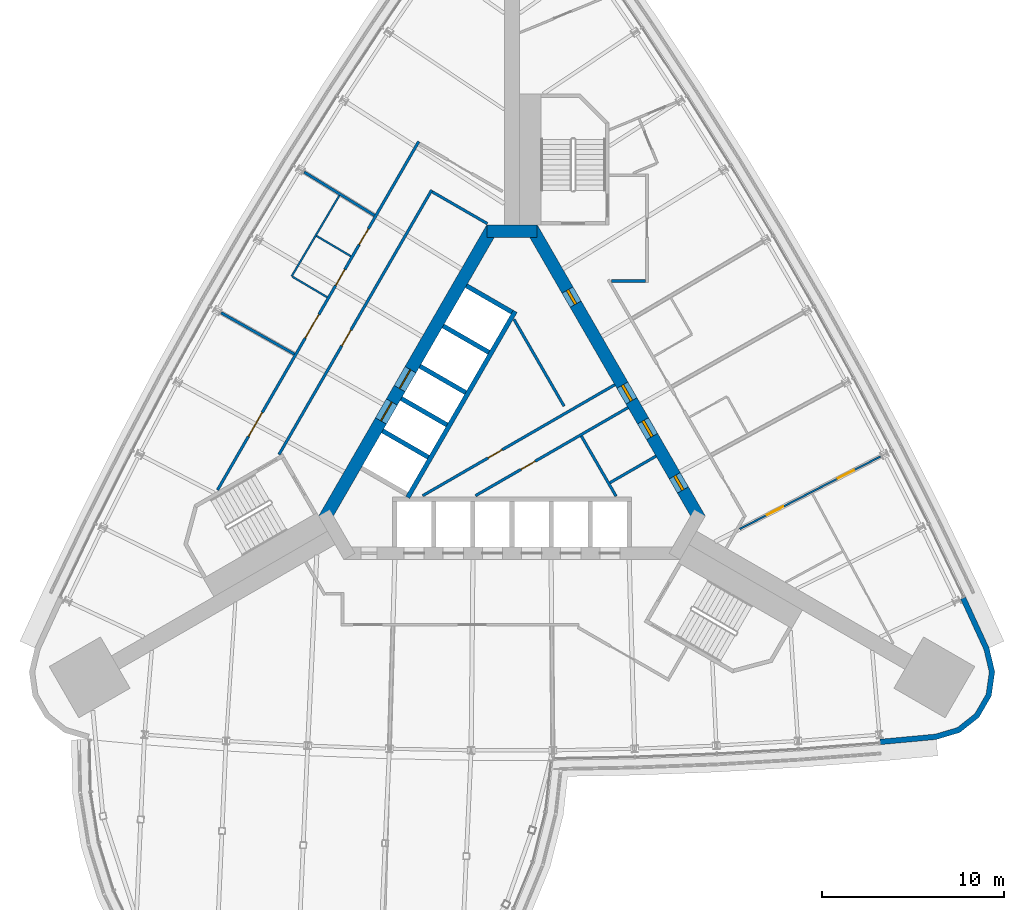
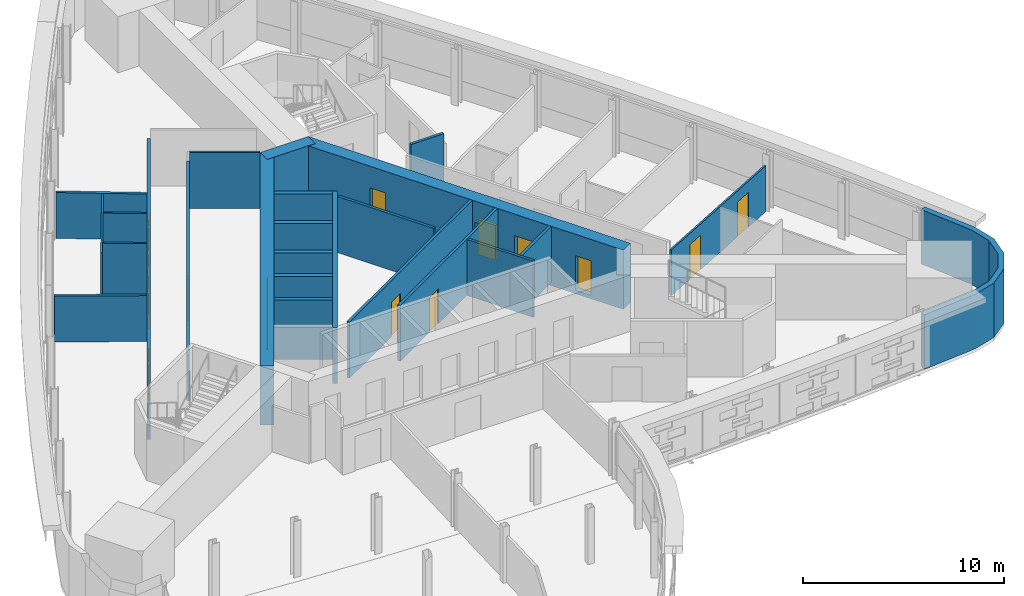
# One storey, part 11 of 16: 25 walls, 15 doors, 15 openings.
"""IFC4 building model written with IfcOpenShell, lengths in metres."""

from ifc_helpers import new_model, si_unit, direction, frame, frame_2d, origin, place, context, subcontext, project, spatial, polyline, rectangle, outline, extrude, material, layer, layer_set, type_object, element, fill, save


model = new_model("IFC4")

# Units and contexts
model_context = context("Model", 3, precision=1e-05, world=origin(), true_north=direction((0.0, 1.0)))
body_context = subcontext(model_context, "Body", "Model", "MODEL_VIEW")
ifc_project = project(units=[si_unit("LENGTHUNIT", "METRE"), si_unit("AREAUNIT", "SQUARE_METRE"), si_unit("VOLUMEUNIT", "CUBIC_METRE"), si_unit("PLANEANGLEUNIT", "RADIAN"), si_unit("MASSUNIT", "GRAM", prefix="KILO")], contexts=[model_context])

# Site, building, storey
site_placement = place(None, origin())
site = spatial("IfcSite", under=ifc_project, at=site_placement, CompositionType="ELEMENT")
building_placement = place(site_placement, origin())
building = spatial("IfcBuilding", under=site, at=building_placement, Name="Noor Cloister Tower", CompositionType="ELEMENT")
storey_placement = place(building_placement, frame((0.0, 0.0, 61.800048828125)))
storey = spatial("IfcBuildingStorey", under=building, at=storey_placement, Name="L15", CompositionType="ELEMENT", Elevation=61.800048828125)

# Wall, opening, door
ifc_material_1 = material(Name="Concrete C30/37", Category="concrete")
ifc_layer_1 = layer(ifc_material_1, 0.14990234375)
ifc_layer_set_1 = layer_set([ifc_layer_1], Name="Core partition 150 C30/37")
wall_type_1 = type_object("IfcWallType", Name="Core partition 150 C30/37", PredefinedType="PARTITIONING", material=ifc_layer_set_1)
wall_1_placement = place(storey_placement, frame((-4.904296875, -3.4130859375, 0.0), z_axis=(0.0, 0.0, 1.0), x_axis=(0.866020716117, 0.500008119189, 0.0)))
wall_1 = element("IfcWall", 1, at=wall_1_placement, inside=storey, type_object=wall_type_1, Name="Core room partition L15 1", PredefinedType="PARTITIONING", context=body_context, shape_type="SweptSolid", body=[
    extrude(rectangle(XDim=12.181884765625, YDim=0.14990234375, at=frame_2d((6.0908203125, 0.0))), origin(), (0.0, 0.0, 1.0), 3.39990234375),
])
opening_1_placement = place(wall_1_placement, frame((4.14208984375, 0.0, 0.0)))
opening_1 = element("IfcOpeningElement", 2, at=opening_1_placement, cuts=wall_1, Name="Opening L15-906", PredefinedType="OPENING", context=body_context, shape_type="SweptSolid", body=[
    extrude(rectangle(XDim=0.89990234375, YDim=2.10009765625, at=frame_2d((0.449951171875, 1.050048828125))), frame((0.0, 0.0849609375, 0.0), z_axis=(0.0, -1.0, 0.0), x_axis=(1.0, 0.0, 0.0)), (0.0, 0.0, 1.0), 0.169921875),
])
ifc_material_2 = material(Name="Steel", Category="steel")
door_type_1 = type_object("IfcDoorType", Name="Core door 900 x 2100 FD120", OperationType="SINGLE_SWING_LEFT", PredefinedType="DOOR", material=ifc_material_2)
door_1_placement = place(opening_1_placement, origin())
door_1 = element("IfcDoor", 3, at=door_1_placement, inside=storey, type_object=door_type_1, Name="Core door 6 L15", OperationType="SINGLE_SWING_RIGHT", OverallHeight=2.10009765625, OverallWidth=0.89990234375, PredefinedType="DOOR", context=body_context, shape_type="SweptSolid", body=[
    extrude(rectangle(XDim=0.89990234375, YDim=2.10009765625, at=frame_2d((0.449951171875, 1.050048828125))), frame((0.0, 0.02490234375, 0.0), z_axis=(0.0, -1.0, 0.0), x_axis=(1.0, 0.0, 0.0)), (0.0, 0.0, 1.0), 0.050048828125),
])
fill(opening_1, door_1)

wall_2_placement = place(storey_placement, frame((-2.00439453125, -3.4130859375, 0.0), z_axis=(0.0, 0.0, 1.0), x_axis=(0.866030034802, 0.499991978756, 0.0)))
wall_2 = element("IfcWall", 4, at=wall_2_placement, inside=storey, type_object=wall_type_1, Name="Core room partition L15 2", PredefinedType="PARTITIONING", context=body_context, shape_type="SweptSolid", body=[
    extrude(rectangle(XDim=9.670654296875, YDim=0.14990234375, at=frame_2d((4.83544921875, 0.0))), origin(), (0.0, 0.0, 1.0), 3.39990234375),
])
opening_2_placement = place(wall_2_placement, frame((2.88623046875, 0.0, 0.0)))
opening_2 = element("IfcOpeningElement", 5, at=opening_2_placement, cuts=wall_2, Name="Opening L15-905", PredefinedType="OPENING", context=body_context, shape_type="SweptSolid", body=[
    extrude(rectangle(XDim=0.89990234375, YDim=2.10009765625, at=frame_2d((0.449951171875, 1.050048828125))), frame((0.0, 0.0849609375, 0.0), z_axis=(0.0, -1.0, 0.0), x_axis=(1.0, 0.0, 0.0)), (0.0, 0.0, 1.0), 0.169921875),
])
ifc_material_3 = material(Name="Steel", Category="steel")
door_type_2 = type_object("IfcDoorType", Name="Core door 900 x 2100 FD60", OperationType="SINGLE_SWING_LEFT", PredefinedType="DOOR", material=ifc_material_3)
door_2_placement = place(opening_2_placement, origin())
door_2 = element("IfcDoor", 6, at=door_2_placement, inside=storey, type_object=door_type_2, Name="Core door 5 L15", OperationType="SINGLE_SWING_LEFT", OverallHeight=2.10009765625, OverallWidth=0.89990234375, PredefinedType="DOOR", context=body_context, shape_type="SweptSolid", body=[
    extrude(rectangle(XDim=0.89990234375, YDim=2.10009765625, at=frame_2d((0.449951171875, 1.050048828125))), frame((0.0, 0.02490234375, 0.0), z_axis=(0.0, -1.0, 0.0), x_axis=(1.0, 0.0, 0.0)), (0.0, 0.0, 1.0), 0.050048828125),
])
fill(opening_2, door_2)

# Walls
wall_3_placement = place(storey_placement, frame((2.860107421875, 1.502685546875, 0.0), z_axis=(0.0, 0.0, 1.0), x_axis=(-0.500014382217, 0.866017100048, 0.0)))
element("IfcWall", 7, at=wall_3_placement, inside=storey, type_object=wall_type_1, Name="Core room partition L15 3", PredefinedType="PARTITIONING", context=body_context, shape_type="SweptSolid", body=[
    extrude(rectangle(XDim=5.501708984375, YDim=0.14990234375, at=frame_2d((2.7509765625, 0.0))), origin(), (0.0, 0.0, 1.0), 3.39990234375),
])
wall_4_placement = place(storey_placement, frame((5.713134765625, -3.439208984375, 0.0), z_axis=(0.0, 0.0, 1.0), x_axis=(-0.499981559197, 0.866036050325, 0.0)))
element("IfcWall", 8, at=wall_4_placement, inside=storey, type_object=wall_type_1, Name="Core room partition L15 4", PredefinedType="PARTITIONING", context=body_context, shape_type="SweptSolid", body=[
    extrude(rectangle(XDim=3.806396484375, YDim=0.14990234375, at=frame_2d((1.9033203125, 0.0))), origin(), (0.0, 0.0, 1.0), 3.39990234375),
])
wall_5_placement = place(storey_placement, frame((5.375, -2.703369140625, 0.0), z_axis=(0.0, 0.0, 1.0), x_axis=(0.866046596414, 0.499963291492, 0.0)))
element("IfcWall", 9, at=wall_5_placement, inside=storey, type_object=wall_type_1, Name="Core room partition L15 5", PredefinedType="PARTITIONING", context=body_context, shape_type="SweptSolid", body=[
    extrude(rectangle(XDim=2.925048828125, YDim=0.14990234375, at=frame_2d((1.46240234375, 0.0))), origin(), (0.0, 0.0, 1.0), 3.39990234375),
])

# Wall, openings, doors
ifc_material_4 = material(Name="Concrete C80/95", Category="concrete")
ifc_layer_2 = layer(ifc_material_4, 0.699951171875)
ifc_layer_set_2 = layer_set([ifc_layer_2], Name="Core wall 700 C80/95")
wall_type_2 = type_object("IfcWallType", Name="Core wall 700 C80/95", PredefinedType="SHEAR", material=ifc_layer_set_2)
wall_6_placement = place(storey_placement, frame((10.311279296875, -4.703125, -0.199951171875), z_axis=(0.0, 0.0, 1.0), x_axis=(-0.500001446645, 0.866024568562, 0.0)))
wall_6 = element("IfcWall", 10, at=wall_6_placement, inside=storey, type_object=wall_type_2, Name="Core wall L15 3", PredefinedType="SHEAR", context=body_context, shape_type="SweptSolid", body=[
    extrude(rectangle(XDim=18.45751953125, YDim=0.699951171875, at=frame_2d((9.228759765625, 0.0))), origin(), (0.0, 0.0, 1.0), 3.599853515625),
])
opening_3_placement = place(wall_6_placement, frame((7.5, 0.0, 0.199951171875)))
opening_3 = element("IfcOpeningElement", 11, at=opening_3_placement, cuts=wall_6, Name="Opening L15-901", PredefinedType="OPENING", context=body_context, shape_type="SweptSolid", body=[
    extrude(rectangle(XDim=1.0, YDim=2.10009765625, at=frame_2d((0.5, 1.050048828125))), frame((0.0, 0.35986328125, 0.0), z_axis=(0.0, -1.0, 0.0), x_axis=(1.0, 0.0, 0.0)), (0.0, 0.0, 1.0), 0.719970703125),
])
opening_4_placement = place(wall_6_placement, frame((1.85205078125, 0.0, 0.199951171875)))
opening_4 = element("IfcOpeningElement", 12, at=opening_4_placement, cuts=wall_6, Name="Opening L15-902", PredefinedType="OPENING", context=body_context, shape_type="SweptSolid", body=[
    extrude(rectangle(XDim=0.89990234375, YDim=2.10009765625, at=frame_2d((0.449951171875, 1.050048828125))), frame((0.0, 0.35986328125, 0.0), z_axis=(0.0, -1.0, 0.0), x_axis=(1.0, 0.0, 0.0)), (0.0, 0.0, 1.0), 0.719970703125),
])
opening_5_placement = place(wall_6_placement, frame((5.237548828125, 0.0, 0.199951171875)))
opening_5 = element("IfcOpeningElement", 13, at=opening_5_placement, cuts=wall_6, Name="Opening L15-903", PredefinedType="OPENING", context=body_context, shape_type="SweptSolid", body=[
    extrude(rectangle(XDim=1.0, YDim=2.10009765625, at=frame_2d((0.5, 1.050048828125))), frame((0.0, 0.35986328125, 0.0), z_axis=(0.0, -1.0, 0.0), x_axis=(1.0, 0.0, 0.0)), (0.0, 0.0, 1.0), 0.719970703125),
])
opening_6_placement = place(wall_6_placement, frame((13.6298828125, 0.0, 0.199951171875)))
opening_6 = element("IfcOpeningElement", 14, at=opening_6_placement, cuts=wall_6, Name="Opening L15-904", PredefinedType="OPENING", context=body_context, shape_type="SweptSolid", body=[
    extrude(rectangle(XDim=0.89990234375, YDim=2.10009765625, at=frame_2d((0.449951171875, 1.050048828125))), frame((0.0, 0.35986328125, 0.0), z_axis=(0.0, -1.0, 0.0), x_axis=(1.0, 0.0, 0.0)), (0.0, 0.0, 1.0), 0.719970703125),
])
ifc_material_5 = material(Name="Steel", Category="steel")
door_type_3 = type_object("IfcDoorType", Name="Core door 1000 x 2100 FD120", OperationType="SINGLE_SWING_LEFT", PredefinedType="DOOR", material=ifc_material_5)
door_3_placement = place(opening_3_placement, origin())
door_3 = element("IfcDoor", 15, at=door_3_placement, inside=storey, type_object=door_type_3, Name="Core door 1 L15", OperationType="SINGLE_SWING_LEFT", OverallHeight=2.10009765625, OverallWidth=1.0, PredefinedType="DOOR", context=body_context, shape_type="SweptSolid", body=[
    extrude(rectangle(XDim=1.0, YDim=2.10009765625, at=frame_2d((0.5, 1.050048828125))), frame((0.0, 0.074951171875, 0.0), z_axis=(0.0, -1.0, 0.0), x_axis=(1.0, 0.0, 0.0)), (0.0, 0.0, 1.0), 0.14990234375),
])
fill(opening_3, door_3)
ifc_material_6 = material(Name="Steel", Category="steel")
door_type_4 = type_object("IfcDoorType", Name="Core door 1000 x 2100 FD60", OperationType="SINGLE_SWING_LEFT", PredefinedType="DOOR", material=ifc_material_6)
door_4_placement = place(opening_5_placement, origin())
door_4 = element("IfcDoor", 16, at=door_4_placement, inside=storey, type_object=door_type_4, Name="Core door 3 L15", OperationType="SINGLE_SWING_LEFT", OverallHeight=2.10009765625, OverallWidth=1.0, PredefinedType="DOOR", context=body_context, shape_type="SweptSolid", body=[
    extrude(rectangle(XDim=1.0, YDim=2.10009765625, at=frame_2d((0.5, 1.050048828125))), frame((0.0, 0.074951171875, 0.0), z_axis=(0.0, -1.0, 0.0), x_axis=(1.0, 0.0, 0.0)), (0.0, 0.0, 1.0), 0.14990234375),
])
fill(opening_5, door_4)
door_5_placement = place(opening_6_placement, origin())
door_5 = element("IfcDoor", 17, at=door_5_placement, inside=storey, type_object=door_type_1, Name="Core door 4 L15", OperationType="SINGLE_SWING_RIGHT", OverallHeight=2.10009765625, OverallWidth=0.89990234375, PredefinedType="DOOR", context=body_context, shape_type="SweptSolid", body=[
    extrude(rectangle(XDim=0.89990234375, YDim=2.10009765625, at=frame_2d((0.449951171875, 1.050048828125))), frame((0.0, 0.074951171875, 0.0), z_axis=(0.0, -1.0, 0.0), x_axis=(1.0, 0.0, 0.0)), (0.0, 0.0, 1.0), 0.14990234375),
])
fill(opening_6, door_5)
door_6_placement = place(opening_4_placement, origin())
door_6 = element("IfcDoor", 18, at=door_6_placement, inside=storey, type_object=door_type_2, Name="Core door 2 L15", OperationType="SINGLE_SWING_RIGHT", OverallHeight=2.10009765625, OverallWidth=0.89990234375, PredefinedType="DOOR", context=body_context, shape_type="SweptSolid", body=[
    extrude(rectangle(XDim=0.89990234375, YDim=2.10009765625, at=frame_2d((0.449951171875, 1.050048828125))), frame((0.0, 0.074951171875, 0.0), z_axis=(0.0, -1.0, 0.0), x_axis=(1.0, 0.0, 0.0)), (0.0, 0.0, 1.0), 0.14990234375),
])
fill(opening_4, door_6)

# Wall
wall_7_placement = place(storey_placement, frame((1.3857421875, 11.1064453125, -0.199951171875), z_axis=(0.0, 0.0, 1.0), x_axis=(-1.0, 0.0, 0.0)))
element("IfcWall", 19, at=wall_7_placement, inside=storey, type_object=wall_type_2, Name="Core wall L15 4", PredefinedType="SHEAR", context=body_context, shape_type="SweptSolid", body=[
    extrude(rectangle(XDim=2.771484375, YDim=0.699951171875, at=frame_2d((1.3857421875, 0.0))), origin(), (0.0, 0.0, 1.0), 3.599853515625),
])

# Wall, openings, doors
wall_8_placement = place(storey_placement, frame((-1.08251953125, 11.281494140625, -0.199951171875), z_axis=(0.0, 0.0, 1.0), x_axis=(-0.500001446645, -0.866024568562, 0.0)))
wall_8 = element("IfcWall", 20, at=wall_8_placement, inside=storey, type_object=wall_type_2, Name="Core wall L15 5", PredefinedType="SHEAR", context=body_context, shape_type="SweptSolid", body=[
    extrude(rectangle(XDim=18.45751953125, YDim=0.699951171875, at=frame_2d((9.228759765625, 0.0))), origin(), (0.0, 0.0, 1.0), 3.599853515625),
])
opening_7_placement = place(wall_8_placement, frame((8.978759765625, 0.0, 0.199951171875)))
opening_7 = element("IfcOpeningElement", 21, at=opening_7_placement, cuts=wall_8, Name="Opening L15-FF1", PredefinedType="OPENING", context=body_context, shape_type="SweptSolid", body=[
    extrude(rectangle(XDim=1.199951171875, YDim=2.10009765625, at=frame_2d((0.60009765625, 1.050048828125))), frame((0.0, 0.35986328125, 0.0), z_axis=(0.0, -1.0, 0.0), x_axis=(1.0, 0.0, 0.0)), (0.0, 0.0, 1.0), 0.719970703125),
])
opening_8_placement = place(wall_8_placement, frame((11.02880859375, 0.0, 0.199951171875)))
opening_8 = element("IfcOpeningElement", 22, at=opening_8_placement, cuts=wall_8, Name="Opening L15-FF2", PredefinedType="OPENING", context=body_context, shape_type="SweptSolid", body=[
    extrude(rectangle(XDim=1.199951171875, YDim=2.10009765625, at=frame_2d((0.60009765625, 1.050048828125))), frame((0.0, 0.35986328125, 0.0), z_axis=(0.0, -1.0, 0.0), x_axis=(1.0, 0.0, 0.0)), (0.0, 0.0, 1.0), 0.719970703125),
])
ifc_material_7 = material(Name="Stainless steel", Category="steel")
door_type_5 = type_object("IfcDoorType", Name="Lift landing door 1200 x 2100", OperationType="DOUBLE_DOOR_SLIDING", PredefinedType="DOOR", material=ifc_material_7)
door_7_placement = place(opening_7_placement, origin())
door_7 = element("IfcDoor", 23, at=door_7_placement, inside=storey, type_object=door_type_5, Name="Landing door FF1 L15", OperationType="DOUBLE_DOOR_SLIDING", OverallHeight=2.10009765625, OverallWidth=1.199951171875, PredefinedType="DOOR", context=body_context, shape_type="SweptSolid", body=[
    extrude(rectangle(XDim=1.199951171875, YDim=2.10009765625, at=frame_2d((0.60009765625, 1.050048828125))), frame((0.0, 0.02490234375, 0.0), z_axis=(0.0, -1.0, 0.0), x_axis=(1.0, 0.0, 0.0)), (0.0, 0.0, 1.0), 0.050048828125),
])
fill(opening_7, door_7)
door_8_placement = place(opening_8_placement, origin())
door_8 = element("IfcDoor", 24, at=door_8_placement, inside=storey, type_object=door_type_5, Name="Landing door FF2 L15", OperationType="DOUBLE_DOOR_SLIDING", OverallHeight=2.10009765625, OverallWidth=1.199951171875, PredefinedType="DOOR", context=body_context, shape_type="SweptSolid", body=[
    extrude(rectangle(XDim=1.199951171875, YDim=2.10009765625, at=frame_2d((0.60009765625, 1.050048828125))), frame((0.0, 0.02490234375, 0.0), z_axis=(0.0, -1.0, 0.0), x_axis=(1.0, 0.0, 0.0)), (0.0, 0.0, 1.0), 0.050048828125),
])
fill(opening_8, door_8)

# Wall, opening, door
ifc_material_8 = material(Name="Fire-rated gypsum board partition on steel studs, 150 mm", Category="steel")
ifc_layer_3 = layer(ifc_material_8, 0.14990234375)
ifc_layer_set_3 = layer_set([ifc_layer_3], Name="Fire lobby wall 150")
wall_type_3 = type_object("IfcWallType", Name="Fire lobby wall 150", PredefinedType="PARTITIONING", material=ifc_layer_set_3)
wall_9_placement = place(storey_placement, frame((-4.40673828125, 13.373779296875, 0.0), z_axis=(0.0, 0.0, 1.0), x_axis=(-0.499997181693, -0.866027030928, 0.0)))
wall_9 = element("IfcWall", 25, at=wall_9_placement, inside=storey, type_object=wall_type_3, Name="Fire lobby wall 150 L15 002", PredefinedType="PARTITIONING", context=body_context, shape_type="SweptSolid", body=[
    extrude(rectangle(XDim=16.76953125, YDim=0.14990234375, at=frame_2d((8.384765625, 0.0))), origin(), (0.0, 0.0, 1.0), 2.77783203125),
])
opening_9_placement = place(wall_9_placement, frame((8.878662109375, 0.0, 0.0)))
opening_9 = element("IfcOpeningElement", 26, at=opening_9_placement, cuts=wall_9, Name="Opening L15-005", PredefinedType="OPENING", context=body_context, shape_type="SweptSolid", body=[
    extrude(rectangle(XDim=1.0, YDim=2.10009765625, at=frame_2d((0.5, 1.050048828125))), frame((0.0, 0.0849609375, 0.0), z_axis=(0.0, -1.0, 0.0), x_axis=(1.0, 0.0, 0.0)), (0.0, 0.0, 1.0), 0.169921875),
])
ifc_material_9 = material(Name="Timber door leaf with steel frame", Category="steel")
door_type_6 = type_object("IfcDoorType", Name="Fire lobby door 1000", OperationType="NOTDEFINED", PredefinedType="DOOR", material=ifc_material_9)
door_9_placement = place(opening_9_placement, origin())
door_9 = element("IfcDoor", 27, at=door_9_placement, inside=storey, type_object=door_type_6, Name="Fire lobby door 1000 L15-005", OperationType="SINGLE_SWING_RIGHT", OverallHeight=2.10009765625, OverallWidth=1.0, PredefinedType="DOOR", context=body_context, shape_type="SweptSolid", body=[
    extrude(rectangle(XDim=1.0, YDim=2.10009765625, at=frame_2d((0.5, 1.050048828125))), frame((0.0, 0.02490234375, 0.0), z_axis=(0.0, -1.0, 0.0), x_axis=(1.0, 0.0, 0.0)), (0.0, 0.0, 1.0), 0.050048828125),
])
fill(opening_9, door_9)

# Wall
wall_10_placement = place(storey_placement, frame((-4.379150390625, 13.271484375, 0.0), z_axis=(0.0, 0.0, 1.0), x_axis=(0.866019471182, -0.500010275428, 0.0)))
element("IfcWall", 28, at=wall_10_placement, inside=storey, type_object=wall_type_3, Name="Fire lobby wall 150 L15 008", PredefinedType="PARTITIONING", context=body_context, shape_type="SweptSolid", body=[
    extrude(rectangle(XDim=3.5, YDim=0.14990234375, at=frame_2d((1.75, 0.0))), origin(), (0.0, 0.0, 1.0), 3.39990234375),
])

# Wall, openings, doors
ifc_material_10 = material(Name="Gypsum board partition on steel studs, 150 mm", Category="steel")
ifc_layer_4 = layer(ifc_material_10, 0.14990234375)
ifc_layer_set_4 = layer_set([ifc_layer_4], Name="Flat wall 150")
wall_type_4 = type_object("IfcWallType", Name="Flat wall 150", PredefinedType="PARTITIONING", material=ifc_layer_set_4)
wall_11_placement = place(storey_placement, frame((-16.1689453125, -3.09912109375, 0.0), z_axis=(0.0, 0.0, 1.0), x_axis=(0.499999805269, 0.866025516212, 0.0)))
wall_11 = element("IfcWall", 29, at=wall_11_placement, inside=storey, type_object=wall_type_4, Name="Flat wall 150 L15 001", PredefinedType="PARTITIONING", context=body_context, shape_type="SweptSolid", body=[
    extrude(rectangle(XDim=22.09716796875, YDim=0.14990234375, at=frame_2d((11.048583984375, 0.0))), origin(), (0.0, 0.0, 1.0), 2.77783203125),
])
opening_10_placement = place(wall_11_placement, frame((15.557861328125, 0.0, 0.0)))
opening_10 = element("IfcOpeningElement", 30, at=opening_10_placement, cuts=wall_11, Name="Opening L15-001", PredefinedType="OPENING", context=body_context, shape_type="SweptSolid", body=[
    extrude(rectangle(XDim=1.0, YDim=2.10009765625, at=frame_2d((0.5, 1.050048828125))), frame((0.0, 0.0849609375, 0.0), z_axis=(0.0, -1.0, 0.0), x_axis=(1.0, 0.0, 0.0)), (0.0, 0.0, 1.0), 0.169921875),
])
opening_11_placement = place(wall_11_placement, frame((12.97607421875, 0.0, 0.0)))
opening_11 = element("IfcOpeningElement", 31, at=opening_11_placement, cuts=wall_11, Name="Opening L15-002", PredefinedType="OPENING", context=body_context, shape_type="SweptSolid", body=[
    extrude(rectangle(XDim=1.0, YDim=2.10009765625, at=frame_2d((0.5, 1.050048828125))), frame((0.0, 0.0849609375, 0.0), z_axis=(0.0, -1.0, 0.0), x_axis=(1.0, 0.0, 0.0)), (0.0, 0.0, 1.0), 0.169921875),
])
opening_12_placement = place(wall_11_placement, frame((9.635498046875, 0.0, 0.0)))
opening_12 = element("IfcOpeningElement", 32, at=opening_12_placement, cuts=wall_11, Name="Opening L15-003", PredefinedType="OPENING", context=body_context, shape_type="SweptSolid", body=[
    extrude(rectangle(XDim=1.5, YDim=2.10009765625, at=frame_2d((0.75, 1.050048828125))), frame((0.0, 0.0849609375, 0.0), z_axis=(0.0, -1.0, 0.0), x_axis=(1.0, 0.0, 0.0)), (0.0, 0.0, 1.0), 0.169921875),
])
opening_13_placement = place(wall_11_placement, frame((3.404296875, 0.0, 0.0)))
opening_13 = element("IfcOpeningElement", 33, at=opening_13_placement, cuts=wall_11, Name="Opening L15-004", PredefinedType="OPENING", context=body_context, shape_type="SweptSolid", body=[
    extrude(rectangle(XDim=1.5, YDim=2.10009765625, at=frame_2d((0.75, 1.050048828125))), frame((0.0, 0.0849609375, 0.0), z_axis=(0.0, -1.0, 0.0), x_axis=(1.0, 0.0, 0.0)), (0.0, 0.0, 1.0), 0.169921875),
])
ifc_material_11 = material(Name="Timber door leaf with steel frame", Category="steel")
door_type_7 = type_object("IfcDoorType", Name="Accessible WC door 1000", OperationType="NOTDEFINED", PredefinedType="DOOR", material=ifc_material_11)
door_10_placement = place(opening_10_placement, origin())
door_10 = element("IfcDoor", 34, at=door_10_placement, inside=storey, type_object=door_type_7, Name="Accessible WC door 1000 L15-001", OperationType="SINGLE_SWING_RIGHT", OverallHeight=2.10009765625, OverallWidth=1.0, PredefinedType="DOOR", context=body_context, shape_type="SweptSolid", body=[
    extrude(rectangle(XDim=1.0, YDim=2.10009765625, at=frame_2d((0.5, 1.050048828125))), frame((0.0, 0.02490234375, 0.0), z_axis=(0.0, -1.0, 0.0), x_axis=(1.0, 0.0, 0.0)), (0.0, 0.0, 1.0), 0.050048828125),
])
fill(opening_10, door_10)
ifc_material_12 = material(Name="Timber door leaf with steel frame", Category="steel")
door_type_8 = type_object("IfcDoorType", Name="Double door 1500 FD60", OperationType="NOTDEFINED", PredefinedType="DOOR", material=ifc_material_12)
door_11_placement = place(opening_12_placement, origin())
door_11 = element("IfcDoor", 35, at=door_11_placement, inside=storey, type_object=door_type_8, Name="Double door 1500 L15-003", OperationType="DOUBLE_DOOR_SINGLE_SWING", OverallHeight=2.10009765625, OverallWidth=1.5, PredefinedType="DOOR", context=body_context, shape_type="SweptSolid", body=[
    extrude(rectangle(XDim=1.5, YDim=2.10009765625, at=frame_2d((0.75, 1.050048828125))), frame((0.0, 0.02490234375, 0.0), z_axis=(0.0, -1.0, 0.0), x_axis=(1.0, 0.0, 0.0)), (0.0, 0.0, 1.0), 0.050048828125),
])
fill(opening_12, door_11)
door_12_placement = place(opening_13_placement, origin())
door_12 = element("IfcDoor", 36, at=door_12_placement, inside=storey, type_object=door_type_8, Name="Double door 1500 L15-004", OperationType="DOUBLE_DOOR_SINGLE_SWING", OverallHeight=2.10009765625, OverallWidth=1.5, PredefinedType="DOOR", context=body_context, shape_type="SweptSolid", body=[
    extrude(rectangle(XDim=1.5, YDim=2.10009765625, at=frame_2d((0.75, 1.050048828125))), frame((0.0, 0.02490234375, 0.0), z_axis=(0.0, -1.0, 0.0), x_axis=(1.0, 0.0, 0.0)), (0.0, 0.0, 1.0), 0.050048828125),
])
fill(opening_13, door_12)
ifc_material_13 = material(Name="Timber door leaf with steel frame", Category="steel")
door_type_9 = type_object("IfcDoorType", Name="Interior door 1000 FD60", OperationType="NOTDEFINED", PredefinedType="DOOR", material=ifc_material_13)
door_13_placement = place(opening_11_placement, origin())
door_13 = element("IfcDoor", 37, at=door_13_placement, inside=storey, type_object=door_type_9, Name="Interior door 1000 L15-002", OperationType="SINGLE_SWING_RIGHT", OverallHeight=2.10009765625, OverallWidth=1.0, PredefinedType="DOOR", context=body_context, shape_type="SweptSolid", body=[
    extrude(rectangle(XDim=1.0, YDim=2.10009765625, at=frame_2d((0.5, 1.050048828125))), frame((0.0, 0.02490234375, 0.0), z_axis=(0.0, -1.0, 0.0), x_axis=(1.0, 0.0, 0.0)), (0.0, 0.0, 1.0), 0.050048828125),
])
fill(opening_11, door_13)

# Walls
wall_12_placement = place(storey_placement, frame((5.4560546875, 8.38134765625, 0.0), z_axis=(0.0, 0.0, 1.0), x_axis=(1.0, 0.0, 0.0)))
element("IfcWall", 38, at=wall_12_placement, inside=storey, type_object=wall_type_4, Name="Flat wall 150 L15 013", PredefinedType="PARTITIONING", context=body_context, shape_type="SweptSolid", body=[
    extrude(rectangle(XDim=1.879638671875, YDim=0.14990234375, at=frame_2d((0.93994140625, 0.0))), origin(), (0.0, 0.0, 1.0), 3.39990234375),
])
wall_13_placement = place(storey_placement, frame((-15.968505859375, 6.630126953125, 0.0), z_axis=(0.0, 0.0, 1.0), x_axis=(0.870757830179, -0.491712112097, 0.0)))
element("IfcWall", 39, at=wall_13_placement, inside=storey, type_object=wall_type_4, Name="Flat wall 150 L15 021", PredefinedType="PARTITIONING", context=body_context, shape_type="SweptSolid", body=[
    extrude(rectangle(XDim=4.615478515625, YDim=0.14990234375, at=frame_2d((2.3076171875, 0.0))), origin(), (0.0, 0.0, 1.0), 2.77783203125),
])
wall_14_placement = place(storey_placement, frame((-11.409912109375, 14.354248046875, 0.0), z_axis=(0.0, 0.0, 1.0), x_axis=(0.851336169767, -0.52462055435, 0.0)))
element("IfcWall", 40, at=wall_14_placement, inside=storey, type_object=wall_type_4, Name="Flat wall 150 L15 022", PredefinedType="PARTITIONING", context=body_context, shape_type="SweptSolid", body=[
    extrude(rectangle(XDim=4.52978515625, YDim=0.14990234375, at=frame_2d((2.264892578125, 0.0))), origin(), (0.0, 0.0, 1.0), 2.77783203125),
])
ifc_material_14 = material(Name="Limestone", Category="masonry")
ifc_layer_5 = layer(ifc_material_14, 0.300048828125)
ifc_layer_set_5 = layer_set([ifc_layer_5], Name="Limestone cladding 300")
wall_type_5 = type_object("IfcWallType", Name="Limestone cladding 300", PredefinedType="NOTDEFINED", material=ifc_layer_set_5)
wall_15_placement = place(storey_placement, origin())
element("IfcWall", 41, at=wall_15_placement, inside=storey, type_object=wall_type_5, Name="Limestone pier cladding L15 2.1", PredefinedType="NOTDEFINED", context=body_context, shape_type="SweptSolid", body=[
    extrude(outline(polyline([(20.22509765625, -17.085205078125), (23.29736328125, -16.80029296875), (24.587890625, -16.417236328125), (25.644775390625, -15.583251953125), (26.31787109375, -14.41748046875), (26.511474609375, -13.085205078125), (26.1982421875, -11.77587890625), (24.908935546875, -8.972900390625), (24.63623046875, -9.09814453125), (25.913330078125, -11.87451171875), (26.206298828125, -13.098876953125), (26.029296875, -14.317138671875), (25.413818359375, -15.383544921875), (24.447265625, -16.14599609375), (23.240234375, -16.50439453125), (20.197265625, -16.78662109375), (20.22509765625, -17.085205078125)])), origin(), (0.0, 0.0, 1.0), 3.300048828125),
])

# Wall, openings, doors
ifc_material_15 = material(Name="Gypsum board partition on steel studs, 100 mm", Category="steel")
ifc_layer_6 = layer(ifc_material_15, 0.10009765625)
ifc_layer_set_6 = layer_set([ifc_layer_6], Name="Partition 100")
wall_type_6 = type_object("IfcWallType", Name="Partition 100", PredefinedType="PARTITIONING", material=ifc_layer_set_6)
wall_16_placement = place(storey_placement, frame((20.228515625, -1.262451171875, 0.0), z_axis=(0.0, 0.0, 1.0), x_axis=(-0.888895553513, -0.458109915789, 0.0)))
wall_16 = element("IfcWall", 42, at=wall_16_placement, inside=storey, type_object=wall_type_6, Name="Partition 100 L15 024", PredefinedType="PARTITIONING", context=body_context, shape_type="SweptSolid", body=[
    extrude(rectangle(XDim=8.693603515625, YDim=0.10009765625, at=frame_2d((4.3466796875, 0.0))), origin(), (0.0, 0.0, 1.0), 2.77783203125),
])
opening_14_placement = place(wall_16_placement, frame((6.000732421875, 0.0, 0.0)))
opening_14 = element("IfcOpeningElement", 43, at=opening_14_placement, cuts=wall_16, Name="Opening L15-015", PredefinedType="OPENING", context=body_context, shape_type="SweptSolid", body=[
    extrude(rectangle(XDim=1.0, YDim=2.10009765625, at=frame_2d((0.5, 1.050048828125))), frame((0.0, 0.06005859375, 0.0), z_axis=(0.0, -1.0, 0.0), x_axis=(1.0, 0.0, 0.0)), (0.0, 0.0, 1.0), 0.1201171875),
])
opening_15_placement = place(wall_16_placement, frame((1.635009765625, 0.0, 0.0)))
opening_15 = element("IfcOpeningElement", 44, at=opening_15_placement, cuts=wall_16, Name="Opening L15-016", PredefinedType="OPENING", context=body_context, shape_type="SweptSolid", body=[
    extrude(rectangle(XDim=1.0, YDim=2.10009765625, at=frame_2d((0.5, 1.050048828125))), frame((0.0, 0.06005859375, 0.0), z_axis=(0.0, -1.0, 0.0), x_axis=(1.0, 0.0, 0.0)), (0.0, 0.0, 1.0), 0.1201171875),
])
ifc_material_16 = material(Name="Timber door leaf with steel frame", Category="steel")
door_type_10 = type_object("IfcDoorType", Name="Interior door 1000", OperationType="NOTDEFINED", PredefinedType="DOOR", material=ifc_material_16)
door_14_placement = place(opening_14_placement, origin())
door_14 = element("IfcDoor", 45, at=door_14_placement, inside=storey, type_object=door_type_10, Name="Interior door 1000 L15-015", OperationType="SINGLE_SWING_RIGHT", OverallHeight=2.10009765625, OverallWidth=1.0, PredefinedType="DOOR", context=body_context, shape_type="SweptSolid", body=[
    extrude(rectangle(XDim=1.0, YDim=2.10009765625, at=frame_2d((0.5, 1.050048828125))), frame((0.0, 0.02490234375, 0.0), z_axis=(0.0, -1.0, 0.0), x_axis=(1.0, 0.0, 0.0)), (0.0, 0.0, 1.0), 0.050048828125),
])
fill(opening_14, door_14)
door_15_placement = place(opening_15_placement, origin())
door_15 = element("IfcDoor", 46, at=door_15_placement, inside=storey, type_object=door_type_10, Name="Interior door 1000 L15-016", OperationType="SINGLE_SWING_LEFT", OverallHeight=2.10009765625, OverallWidth=1.0, PredefinedType="DOOR", context=body_context, shape_type="SweptSolid", body=[
    extrude(rectangle(XDim=1.0, YDim=2.10009765625, at=frame_2d((0.5, 1.050048828125))), frame((0.0, 0.02490234375, 0.0), z_axis=(0.0, -1.0, 0.0), x_axis=(1.0, 0.0, 0.0)), (0.0, 0.0, 1.0), 0.050048828125),
])
fill(opening_15, door_15)

# Walls
wall_17_placement = place(storey_placement, frame((-9.477783203125, 13.074462890625, 0.0), z_axis=(0.0, 0.0, 1.0), x_axis=(-0.508234581351, -0.86121867741, 0.0)))
element("IfcWall", 47, at=wall_17_placement, inside=storey, type_object=wall_type_6, Name="Partition 100 L15 025", PredefinedType="PARTITIONING", context=body_context, shape_type="SweptSolid", body=[
    extrude(rectangle(XDim=5.15478515625, YDim=0.10009765625, at=frame_2d((2.577392578125, 0.0))), origin(), (0.0, 0.0, 1.0), 2.77783203125),
])
wall_18_placement = place(storey_placement, frame((-12.0546875, 8.609619140625, 0.0), z_axis=(0.0, 0.0, 1.0), x_axis=(0.861222482917, -0.508228132749, 0.0)))
element("IfcWall", 48, at=wall_18_placement, inside=storey, type_object=wall_type_6, Name="Partition 100 L15 034", PredefinedType="PARTITIONING", context=body_context, shape_type="SweptSolid", body=[
    extrude(rectangle(XDim=2.216064453125, YDim=0.10009765625, at=frame_2d((1.10791015625, 0.0))), origin(), (0.0, 0.0, 1.0), 3.39990234375),
])
wall_19_placement = place(storey_placement, frame((-10.733154296875, 10.8486328125, 0.0), z_axis=(0.0, 0.0, 1.0), x_axis=(0.861225852057, -0.5082224235, 0.0)))
element("IfcWall", 49, at=wall_19_placement, inside=storey, type_object=wall_type_6, Name="Partition 100 L15 035", PredefinedType="PARTITIONING", context=body_context, shape_type="SweptSolid", body=[
    extrude(rectangle(XDim=2.19091796875, YDim=0.10009765625, at=frame_2d((1.095458984375, 0.0))), origin(), (0.0, 0.0, 1.0), 3.39990234375),
])
ifc_material_17 = material(Name="Concrete C80/95", Category="concrete")
ifc_layer_7 = layer(ifc_material_17, 0.25)
ifc_layer_set_7 = layer_set([ifc_layer_7], Name="Shaft wall 250 C80/95")
wall_type_7 = type_object("IfcWallType", Name="Shaft wall 250 C80/95", PredefinedType="PARTITIONING", material=ifc_layer_set_7)
wall_20_placement = place(storey_placement, frame((-2.50634765625, 8.115478515625, -0.199951171875), z_axis=(0.0, 0.0, 1.0), x_axis=(0.865996321171, -0.50005036918, 0.0)))
element("IfcWall", 50, at=wall_20_placement, inside=storey, type_object=wall_type_7, Name="Lift shaft wall L15 NW 1", PredefinedType="PARTITIONING", context=body_context, shape_type="SweptSolid", body=[
    extrude(rectangle(XDim=2.900146484375, YDim=0.25, at=frame_2d((1.4501953125, 0.0))), origin(), (0.0, 0.0, 1.0), 3.599853515625),
])
for number, where, z_axis, x_axis, name in (
    (51, (-3.78125, 5.906982421875, -0.199951171875), (0.0, 0.0, 1.0), (0.866032775405, -0.499987231761, 0.0), "Lift shaft wall L15 NW 2"),
    (52, (-5.056396484375, 3.69873046875, -0.199951171875), (0.0, 0.0, 1.0), (0.866032775405, -0.499987231761, 0.0), "Lift shaft wall L15 NW 3"),
    (53, (-6.081298828125, 1.92333984375, -0.199951171875), (0.0, 0.0, 1.0), (0.866032775405, -0.499987231761, 0.0), "Lift shaft wall L15 NW 4"),
    (54, (-7.106201171875, 0.14794921875, -0.199951171875), (0.0, 0.0, 1.0), (0.866032775405, -0.499987231761, 0.0), "Lift shaft wall L15 NW 5"),
):
    element("IfcWall", number, at=place(storey_placement, frame(where, z_axis=z_axis, x_axis=x_axis)), inside=storey, type_object=wall_type_7, Name=name, PredefinedType="PARTITIONING", context=body_context, shape_type="SweptSolid", body=[
        extrude(rectangle(XDim=2.89990234375, YDim=0.25, at=frame_2d((1.449951171875, 0.0))), origin(), (0.0, 0.0, 1.0), 3.599853515625),
    ])
wall_21_placement = place(storey_placement, frame((0.176025390625, 6.711181640625, 0.0), z_axis=(0.0, 0.0, 1.0), x_axis=(-0.500004227369, -0.866022963098, 0.0)))
element("IfcWall", 55, at=wall_21_placement, inside=storey, type_object=wall_type_7, Name="Lift shaft back wall L15 NW", PredefinedType="PARTITIONING", context=body_context, shape_type="SweptSolid", body=[
    extrude(rectangle(XDim=11.80029296875, YDim=0.25, at=frame_2d((5.900146484375, 0.0))), origin(), (0.0, 0.0, 1.0), 3.39990234375),
])

save(model, "model.ifc")
